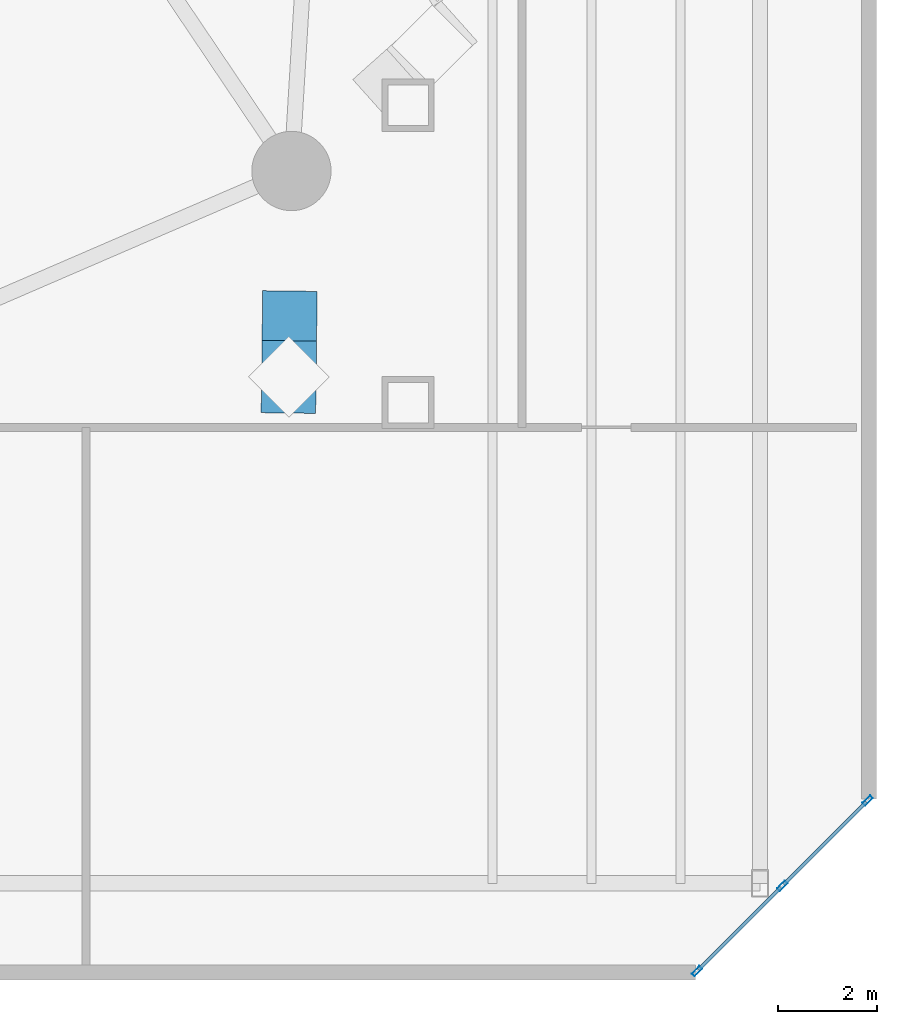
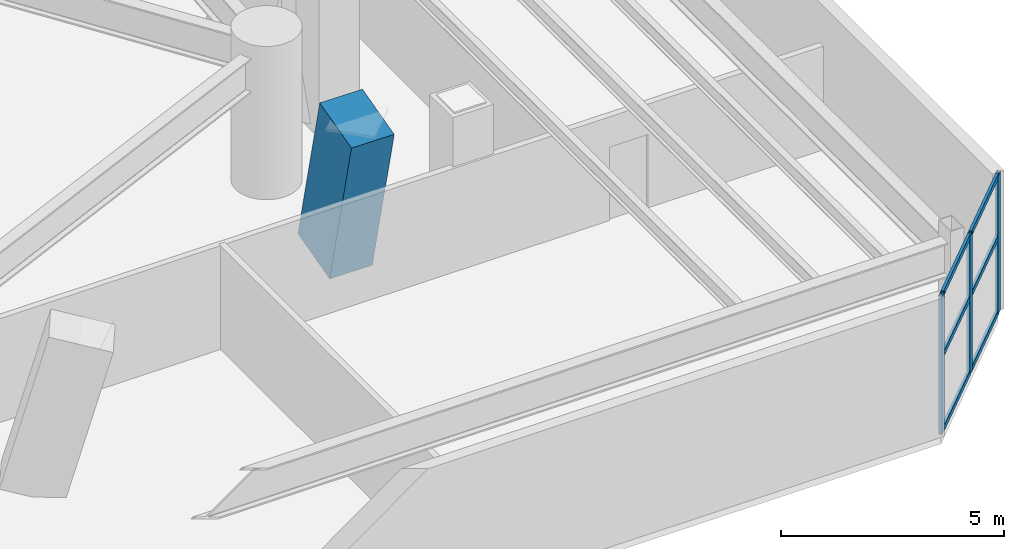
# One storey, part 7 of 20: 10 members, 1 element without a shape of its own.
"""IFC4 building model written with IfcOpenShell, lengths in metres."""

from ifc_helpers import new_model, si_unit, direction, frame, origin, origin_2d, place, context, subcontext, project, spatial, rectangle, hollow_rectangle, extrude, material, layer, layer_set, material_profile, profile_set, type_object, element, aggregate, save


model = new_model("IFC4")

# Units and contexts
model_context = context("Model", 3, precision=1e-05, world=origin(), true_north=direction((0.0, 1.0)))
body_context = subcontext(model_context, "Body", "Model", "MODEL_VIEW")
ifc_project = project(units=[si_unit("LENGTHUNIT", "METRE"), si_unit("AREAUNIT", "SQUARE_METRE"), si_unit("VOLUMEUNIT", "CUBIC_METRE"), si_unit("PLANEANGLEUNIT", "RADIAN"), si_unit("MASSUNIT", "GRAM", prefix="KILO")], contexts=[model_context])

# Site, building, storey
site_placement = place(None, origin())
site = spatial("IfcSite", under=ifc_project, at=site_placement, CompositionType="ELEMENT")
building_placement = place(site_placement, origin())
building = spatial("IfcBuilding", under=site, at=building_placement, Name="Cununo Teusaquillo Station Towers", CompositionType="ELEMENT")
storey_placement = place(building_placement, frame((0.0, 0.0, 13.199951171875)))
storey = spatial("IfcBuildingStorey", under=building, at=storey_placement, Name="L03", CompositionType="ELEMENT", Elevation=13.199951171875)

# Curtain wall, members
ifc_material_1 = material(Name="Ceramic-fritted dark low-E double glazing", Category="glass")
ifc_layer = layer(ifc_material_1, 0.179931640625)
ifc_layer_set = layer_set([ifc_layer], Name="Ceramic-fritted dark low-E double glazing")
curtain_wall_type = type_object("IfcCurtainWallType", Name="CW-SYS-01", PredefinedType="USERDEFINED", material=ifc_layer_set)
curtain_wall_placement = place(storey_placement, origin())
curtain_wall = element("IfcCurtainWall", 1, at=curtain_wall_placement, inside=storey, type_object=curtain_wall_type, Name="L03 Station Podium Corner Curtain Wall 6", ObjectType="FRITTED GLAZING", PredefinedType="USERDEFINED")
ifc_material_2 = material(Name="Anodised dark bronze aluminium EN AW-6063-T6", Category="aluminium")
ifc_material_profile_1 = material_profile(ifc_material_2, hollow_rectangle(XDim=0.080078125, YDim=0.219970703125, WallThickness=0.0048828125, at=origin_2d()), Name="CW-MULL-80x220")
ifc_profile_set_1 = profile_set([ifc_material_profile_1], Name="Anodised dark bronze aluminium EN AW-6063-T6")
member_type_1 = type_object("IfcMemberType", Name="CWM-220", PredefinedType="MULLION", material=ifc_profile_set_1)
member_1_placement = place(storey_placement, frame((81.771728515625, 4.4716796875, 0.0), z_axis=(0.0, 0.0, 1.0), x_axis=(0.707106781187, -0.707106781187, 0.0)))
member_1 = element("IfcMember", 2, at=member_1_placement, type_object=member_type_1, Name="CW-01 mullion 1", PredefinedType="MULLION", context=body_context, shape_type="SweptSolid", body=[
    extrude(hollow_rectangle(XDim=0.080078125, YDim=0.219970703125, WallThickness=0.0048828125, at=origin_2d()), origin(), (0.0, 0.0, 1.0), 3.800048828125),
])
member_2_placement = place(storey_placement, frame((80.050048828125, 2.75, 0.0), z_axis=(0.0, 0.0, 1.0), x_axis=(0.707106781187, -0.707106781187, 0.0)))
member_2 = element("IfcMember", 3, at=member_2_placement, type_object=member_type_1, Name="CW-01 mullion 2", PredefinedType="MULLION", context=body_context, shape_type="SweptSolid", body=[
    extrude(hollow_rectangle(XDim=0.080078125, YDim=0.219970703125, WallThickness=0.0048828125, at=origin_2d()), origin(), (0.0, 0.0, 1.0), 3.800048828125),
])
member_3_placement = place(storey_placement, frame((78.328369140625, 1.0283203125, 0.0), z_axis=(0.0, 0.0, 1.0), x_axis=(0.707106781187, -0.707106781187, 0.0)))
member_3 = element("IfcMember", 4, at=member_3_placement, type_object=member_type_1, Name="CW-01 mullion 3", PredefinedType="MULLION", context=body_context, shape_type="SweptSolid", body=[
    extrude(hollow_rectangle(XDim=0.080078125, YDim=0.219970703125, WallThickness=0.0048828125, at=origin_2d()), origin(), (0.0, 0.0, 1.0), 3.800048828125),
])
ifc_material_3 = material(Name="Anodised dark bronze aluminium EN AW-6063-T6", Category="aluminium")
ifc_material_profile_2 = material_profile(ifc_material_3, hollow_rectangle(XDim=0.070068359375, YDim=0.139892578125, WallThickness=0.00390625, at=origin_2d()), Name="CW-TRAN-70x140")
ifc_profile_set_2 = profile_set([ifc_material_profile_2], Name="Anodised dark bronze aluminium EN AW-6063-T6")
member_type_2 = type_object("IfcMemberType", Name="CWT-140", PredefinedType="USERDEFINED", material=ifc_profile_set_2)
member_4_placement = place(storey_placement, frame((81.743408203125, 4.443359375, 0.03515625), z_axis=(-0.707106781187, -0.707106781187, 0.0), x_axis=(0.707106781187, -0.707106781187, 0.0)))
member_4 = element("IfcMember", 5, at=member_4_placement, type_object=member_type_2, Name="CW-01 transom 1.1", ObjectType="TRANSOM", PredefinedType="USERDEFINED", context=body_context, shape_type="SweptSolid", body=[
    extrude(hollow_rectangle(XDim=0.070068359375, YDim=0.139892578125, WallThickness=0.00390625, at=origin_2d()), origin(), (0.0, 0.0, 1.0), 2.354736328125),
])
member_5_placement = place(storey_placement, frame((81.743408203125, 4.443359375, 2.090087890625), z_axis=(-0.707106781187, -0.707106781187, 0.0), x_axis=(0.707106781187, -0.707106781187, 0.0)))
member_5 = element("IfcMember", 6, at=member_5_placement, type_object=member_type_2, Name="CW-01 transom 1.2", ObjectType="TRANSOM", PredefinedType="USERDEFINED", context=body_context, shape_type="SweptSolid", body=[
    extrude(hollow_rectangle(XDim=0.070068359375, YDim=0.139892578125, WallThickness=0.00390625, at=origin_2d()), origin(), (0.0, 0.0, 1.0), 2.354736328125),
])
member_6_placement = place(storey_placement, frame((81.743408203125, 4.443359375, 3.76513671875), z_axis=(-0.707106781187, -0.707106781187, 0.0), x_axis=(0.707106781187, -0.707106781187, 0.0)))
member_6 = element("IfcMember", 7, at=member_6_placement, type_object=member_type_2, Name="CW-01 transom 1.3", ObjectType="TRANSOM", PredefinedType="USERDEFINED", context=body_context, shape_type="SweptSolid", body=[
    extrude(hollow_rectangle(XDim=0.070068359375, YDim=0.139892578125, WallThickness=0.00390625, at=origin_2d()), origin(), (0.0, 0.0, 1.0), 2.354736328125),
])
member_7_placement = place(storey_placement, frame((80.021728515625, 2.7216796875, 0.03515625), z_axis=(-0.707106781187, -0.707106781187, 0.0), x_axis=(0.707106781187, -0.707106781187, 0.0)))
member_7 = element("IfcMember", 8, at=member_7_placement, type_object=member_type_2, Name="CW-01 transom 2.1", ObjectType="TRANSOM", PredefinedType="USERDEFINED", context=body_context, shape_type="SweptSolid", body=[
    extrude(hollow_rectangle(XDim=0.070068359375, YDim=0.139892578125, WallThickness=0.00390625, at=origin_2d()), origin(), (0.0, 0.0, 1.0), 2.354736328125),
])
member_8_placement = place(storey_placement, frame((80.021728515625, 2.7216796875, 2.090087890625), z_axis=(-0.707106781187, -0.707106781187, 0.0), x_axis=(0.707106781187, -0.707106781187, 0.0)))
member_8 = element("IfcMember", 9, at=member_8_placement, type_object=member_type_2, Name="CW-01 transom 2.2", ObjectType="TRANSOM", PredefinedType="USERDEFINED", context=body_context, shape_type="SweptSolid", body=[
    extrude(hollow_rectangle(XDim=0.070068359375, YDim=0.139892578125, WallThickness=0.00390625, at=origin_2d()), origin(), (0.0, 0.0, 1.0), 2.354736328125),
])
member_9_placement = place(storey_placement, frame((80.021728515625, 2.7216796875, 3.76513671875), z_axis=(-0.707106781187, -0.707106781187, 0.0), x_axis=(0.707106781187, -0.707106781187, 0.0)))
member_9 = element("IfcMember", 10, at=member_9_placement, type_object=member_type_2, Name="CW-01 transom 2.3", ObjectType="TRANSOM", PredefinedType="USERDEFINED", context=body_context, shape_type="SweptSolid", body=[
    extrude(hollow_rectangle(XDim=0.070068359375, YDim=0.139892578125, WallThickness=0.00390625, at=origin_2d()), origin(), (0.0, 0.0, 1.0), 2.354736328125),
])
aggregate(curtain_wall, [member_1, member_2, member_3, member_4, member_5, member_6, member_7, member_8, member_9])

# Member
ifc_material_4 = material(Name="Concrete C60/75", Category="concrete")
ifc_material_profile_3 = material_profile(ifc_material_4, rectangle(XDim=1.10009765625, YDim=1.5, at=origin_2d()), Name="RC-RECT-1500x1100")
ifc_profile_set_3 = profile_set([ifc_material_profile_3], Name="Concrete C60/75")
member_type_3 = type_object("IfcMemberType", Name="MBR-VFOOT", PredefinedType="USERDEFINED", material=ifc_profile_set_3)
member_10_placement = place(storey_placement, frame((70.106201171875, 14.021484375, 0.0), z_axis=(-0.002940090479, -0.23221060763, 0.972661086696), x_axis=(0.999919855251, -0.012660295221, 0.0)))
element("IfcMember", 11, at=member_10_placement, inside=storey, type_object=member_type_3, Name="L03 Tower B Sloping Concrete V-Foot V16L", ObjectType="V FOOT STRUT", PredefinedType="USERDEFINED", context=body_context, shape_type="SweptSolid", body=[
    extrude(rectangle(XDim=1.10009765625, YDim=1.5, at=origin_2d()), origin(), (0.0, 0.0, 1.0), 4.318115234375),
])

save(model, "model.ifc")
